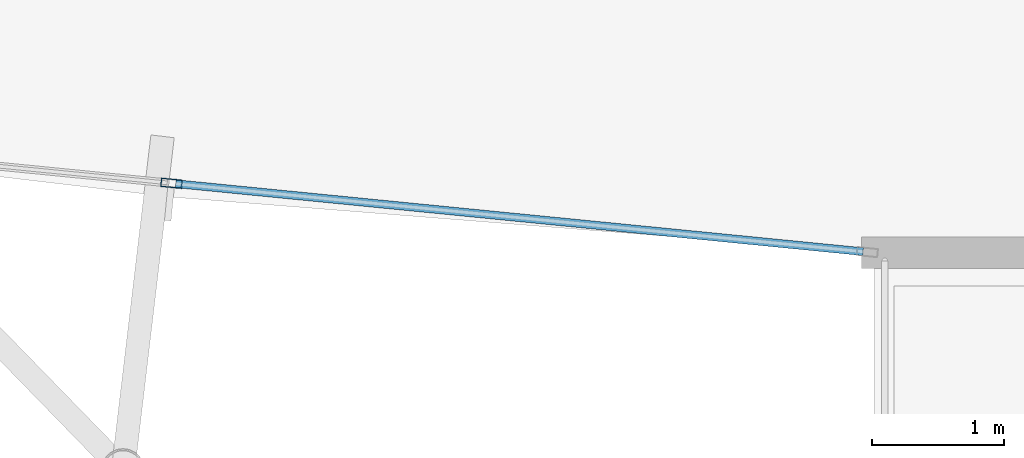
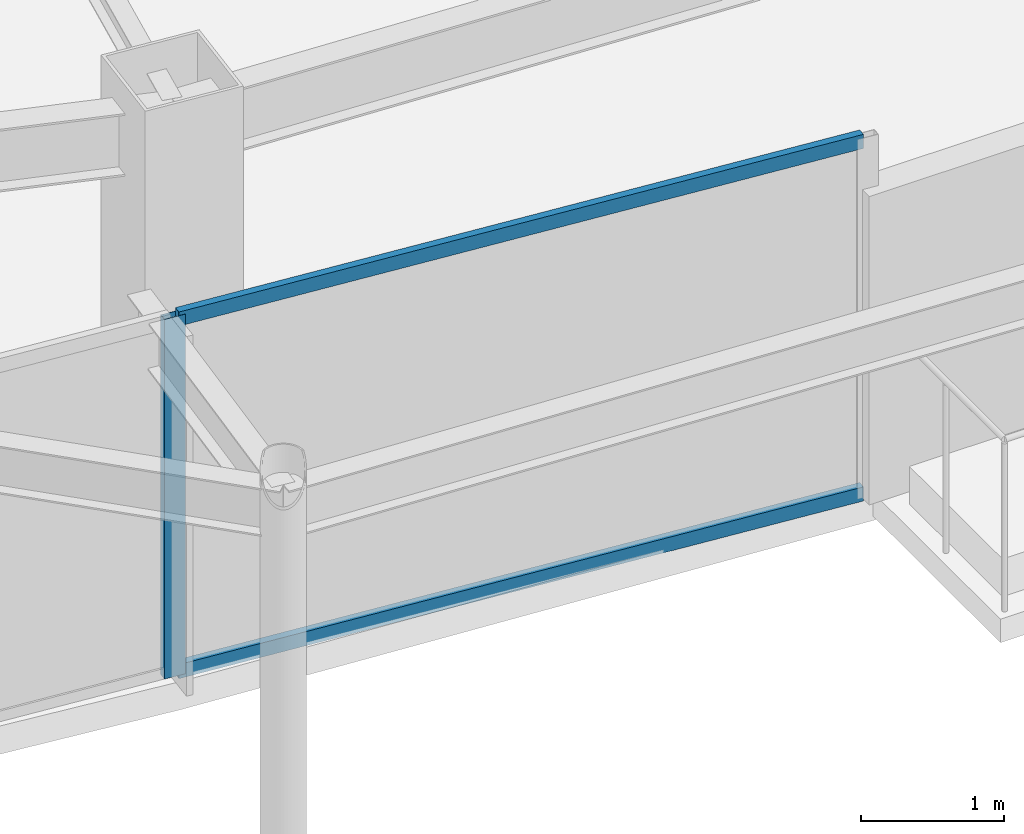
# One storey, part 4 of 34: 3 members, 1 element without a shape of its own.
"""IFC4 building model written with IfcOpenShell, lengths in metres."""

from ifc_helpers import new_model, si_unit, direction, frame, origin, origin_2d, place, context, subcontext, project, spatial, hollow_rectangle, extrude, material, layer, layer_set, material_profile, profile_set, type_object, element, aggregate, save


model = new_model("IFC4")

# Units and contexts
model_context = context("Model", 3, precision=1e-05, world=origin(), true_north=direction((0.0, 1.0)))
body_context = subcontext(model_context, "Body", "Model", "MODEL_VIEW")
ifc_project = project(units=[si_unit("LENGTHUNIT", "METRE"), si_unit("AREAUNIT", "SQUARE_METRE"), si_unit("VOLUMEUNIT", "CUBIC_METRE"), si_unit("PLANEANGLEUNIT", "RADIAN"), si_unit("MASSUNIT", "GRAM", prefix="KILO")], contexts=[model_context])

# Site, building, storey
site_placement = place(None, origin())
site = spatial("IfcSite", under=ifc_project, at=site_placement, CompositionType="ELEMENT")
building_placement = place(site_placement, origin())
building = spatial("IfcBuilding", under=site, at=building_placement, Name="Orvanel Arch Residences", CompositionType="ELEMENT")
storey_placement = place(building_placement, frame((0.0, 0.0, 199.699951171875)))
storey = spatial("IfcBuildingStorey", under=building, at=storey_placement, Name="L56", CompositionType="ELEMENT", Elevation=199.699951171875)

# Curtain wall, members
ifc_material = material(Name="Bronze-anodised aluminium AA6063-T6", Category="aluminium")
ifc_layer = layer(ifc_material, 0.175048828125)
ifc_layer_set = layer_set([ifc_layer], Name="Bronze-anodised aluminium AA6063-T6")
curtain_wall_type = type_object("IfcCurtainWallType", Name="CW4-HI-SYS", PredefinedType="NOTDEFINED", material=ifc_layer_set)
curtain_wall_placement = place(storey_placement, origin())
curtain_wall = element("IfcCurtainWall", 1, at=curtain_wall_placement, inside=storey, type_object=curtain_wall_type, Name="L56 CW4-HI-SYS Unitised Curtain Wall", PredefinedType="NOTDEFINED")
ifc_material_profile_1 = material_profile(ifc_material, hollow_rectangle(XDim=0.06494140625, YDim=0.159912109375, WallThickness=0.00390625, at=origin_2d()), Name="ALU160x65x4")
ifc_profile_set_1 = profile_set([ifc_material_profile_1], Name="Bronze-anodised aluminium AA6063-T6")
member_type_1 = type_object("IfcMemberType", Name="MUL-160x65", PredefinedType="MULLION", material=ifc_profile_set_1)
member_1_placement = place(storey_placement, frame((22.342529296875, 5.08203125, 0.0), z_axis=(0.0, 0.0, 1.0), x_axis=(0.098417861591, 0.99514517761, 0.0)))
member_1 = element("IfcMember", 2, at=member_1_placement, type_object=member_type_1, Name="CW-S4 mullion 2", PredefinedType="MULLION", context=body_context, shape_type="SweptSolid", body=[
    extrude(hollow_rectangle(XDim=0.06494140625, YDim=0.159912109375, WallThickness=0.00390625, at=origin_2d()), origin(), (0.0, 0.0, 1.0), 3.06005859375),
])
ifc_material_profile_2 = material_profile(ifc_material, hollow_rectangle(XDim=0.06005859375, YDim=0.1201171875, WallThickness=0.00341796875, at=origin_2d()), Name="ALU120x60x3.5")
ifc_profile_set_2 = profile_set([ifc_material_profile_2], Name="Bronze-anodised aluminium AA6063-T6")
member_type_2 = type_object("IfcMemberType", Name="TRN-120x60", PredefinedType="USERDEFINED", material=ifc_profile_set_2)
member_2_placement = place(storey_placement, frame((22.374755859375, 5.078857421875, 0.030029296875), z_axis=(0.995145978741, -0.098409760675, 0.0), x_axis=(0.098409760675, 0.995145978741, 0.0)))
member_2 = element("IfcMember", 3, at=member_2_placement, type_object=member_type_2, Name="CW-S4 transom 2.1", ObjectType="TRANSOM", PredefinedType="USERDEFINED", context=body_context, shape_type="SweptSolid", body=[
    extrude(hollow_rectangle(XDim=0.06005859375, YDim=0.1201171875, WallThickness=0.00341796875, at=origin_2d()), origin(), (0.0, 0.0, 1.0), 5.237060546875),
])
member_3_placement = place(storey_placement, frame((22.374755859375, 5.078857421875, 3.030029296875), z_axis=(0.995145978741, -0.098409760675, 0.0), x_axis=(0.098409760675, 0.995145978741, 0.0)))
member_3 = element("IfcMember", 4, at=member_3_placement, type_object=member_type_2, Name="CW-S4 transom 2.2", ObjectType="TRANSOM", PredefinedType="USERDEFINED", context=body_context, shape_type="SweptSolid", body=[
    extrude(hollow_rectangle(XDim=0.06005859375, YDim=0.1201171875, WallThickness=0.00341796875, at=origin_2d()), origin(), (0.0, 0.0, 1.0), 5.237060546875),
])
aggregate(curtain_wall, [member_1, member_2, member_3])

save(model, "model.ifc")
